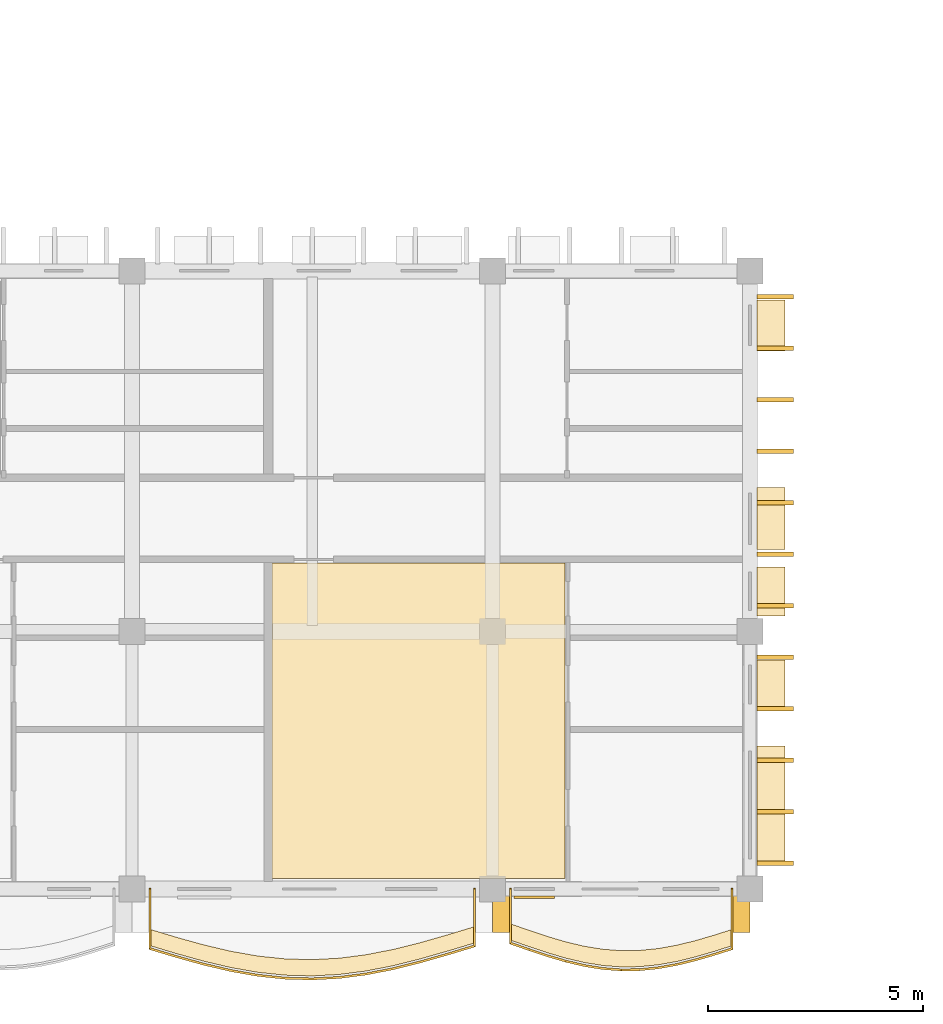
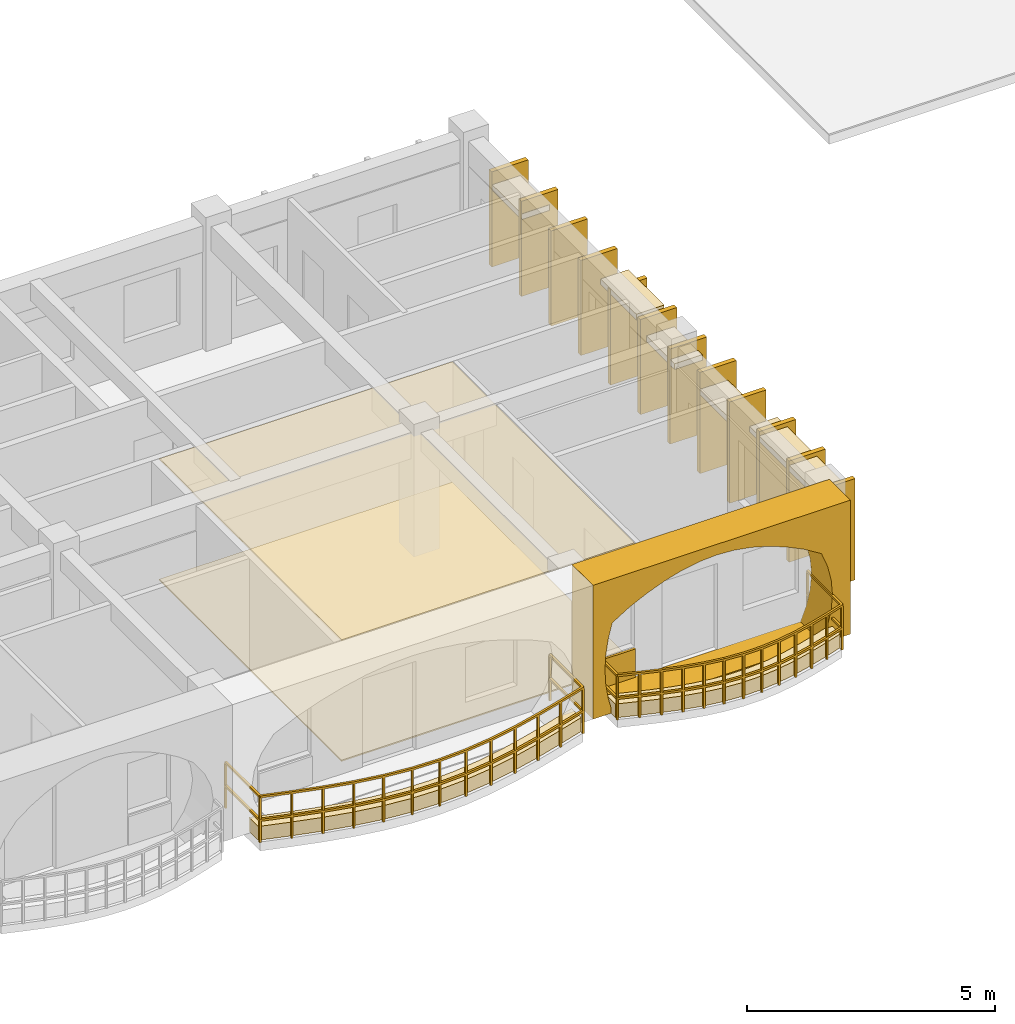
# One storey, part 72 of 101: 23 coverings, 2 railings.
"""IFC4 building model written with IfcOpenShell, lengths in metres."""

from ifc_helpers import new_model, si_unit, direction, frame, origin, origin_2d, place, context, subcontext, project, spatial, polyline, rectangle, outline, extrude, material, layer, layer_set, type_object, element, save


model = new_model("IFC4")

# Units and contexts
model_context = context("Model", 3, precision=1e-05, world=origin(), true_north=direction((0.0, 1.0)))
body_context = subcontext(model_context, "Body", "Model", "MODEL_VIEW")
ifc_project = project(units=[si_unit("LENGTHUNIT", "METRE"), si_unit("AREAUNIT", "SQUARE_METRE"), si_unit("VOLUMEUNIT", "CUBIC_METRE"), si_unit("PLANEANGLEUNIT", "RADIAN"), si_unit("MASSUNIT", "GRAM", prefix="KILO"), si_unit("THERMODYNAMICTEMPERATUREUNIT", "KELVIN")], contexts=[model_context])

# Site, building, storey
site_placement = place(None, origin())
site = spatial("IfcSite", under=ifc_project, at=site_placement, CompositionType="ELEMENT")
building_placement = place(site_placement, origin())
building = spatial("IfcBuilding", under=site, at=building_placement, Name="Thalorik Housing Commons", CompositionType="ELEMENT")
storey_placement = place(building_placement, frame((0.0, 0.0, 8.10009765625)))
storey = spatial("IfcBuildingStorey", under=building, at=storey_placement, Name="L02", CompositionType="ELEMENT", Elevation=8.10009765625)

# Coverings
ifc_material_1 = material(Name="Precast concrete C40/50", Category="concrete")
ifc_layer_1 = layer(ifc_material_1, 0.85009765625, Name="Precast concrete C40/50", Category="concrete")
ifc_layer_set_1 = layer_set([ifc_layer_1], Name="Precast concrete C40/50")
covering_type_1 = type_object("IfcCoveringType", Name="ARC-CLD-CUSH-850", PredefinedType="CLADDING", material=ifc_layer_set_1)
covering_1_placement = place(storey_placement, frame((54.60009765625, 7.81494140625, 0.0), z_axis=(0.0, 0.0, 1.0), x_axis=(1.0, 0.0, 0.0)))
element("IfcCovering", 1, at=covering_1_placement, inside=storey, type_object=covering_type_1, Name="L02 White Precast Curved Cushion Bay Frame 3611", PredefinedType="CLADDING", context=body_context, shape_type="SweptSolid", body=[
    extrude(outline(polyline([(-3.0, 0.0), (3.0, 0.0), (3.0, 3.300048828125), (-3.0, 3.300048828125), (-3.0, 0.0)]), holes=[polyline([(2.324951171875, 0.02490234375), (2.467529296875, 0.390869140625), (2.552978515625, 0.756591796875), (2.58154296875, 1.12255859375), (2.552978515625, 1.48828125), (2.467529296875, 1.854248046875), (2.324951171875, 2.219970703125), (1.918701171875, 2.469482421875), (1.512451171875, 2.66552734375), (1.106201171875, 2.824462890625), (0.699951171875, 2.9423828125), (0.293701171875, 3.015380859375), (-0.112548828125, 3.0400390625), (-0.518798828125, 3.015380859375), (-0.925048828125, 2.9423828125), (-1.331298828125, 2.824462890625), (-1.737548828125, 2.66552734375), (-2.143798828125, 2.469482421875), (-2.550048828125, 2.219970703125), (-2.64501953125, 1.854248046875), (-2.701904296875, 1.48828125), (-2.720947265625, 1.12255859375), (-2.701904296875, 0.756591796875), (-2.64501953125, 0.390869140625), (-2.550048828125, 0.02490234375), (2.324951171875, 0.02490234375)])]), frame((0.0, 0.425048828125, 0.0), z_axis=(0.0, -1.0, 0.0), x_axis=(1.0, 0.0, 0.0)), (0.0, 0.0, 1.0), 0.85009765625),
])
ifc_layer_2 = layer(ifc_material_1, 0.85009765625, Name="Precast concrete C40/50", Category="concrete")
ifc_layer_set_2 = layer_set([ifc_layer_2], Name="Precast concrete C40/50")
covering_type_2 = type_object("IfcCoveringType", Name="ARC-CLD-FIN-850", PredefinedType="CLADDING", material=ifc_layer_set_2)
for number, where, z_axis, x_axis, name in (
    (2, (58.18505859375, 9.0, 0.039794921875), (0.0, 0.0, 1.0), (0.0, 1.0, 0.0), "L02 Courtyard Precast Vertical Brise-Soleil Fin 3613"),
    (3, (58.18505859375, 10.199951171875, 0.039794921875), (0.0, 0.0, 1.0), (0.0, 1.0, 0.0), "L02 Courtyard Precast Vertical Brise-Soleil Fin 3614"),
    (4, (58.18505859375, 11.39990234375, 0.039794921875), (0.0, 0.0, 1.0), (0.0, 1.0, 0.0), "L02 Courtyard Precast Vertical Brise-Soleil Fin 3615"),
    (5, (58.18505859375, 12.60009765625, 0.039794921875), (0.0, 0.0, 1.0), (0.0, 1.0, 0.0), "L02 Courtyard Precast Vertical Brise-Soleil Fin 3616"),
    (6, (58.18505859375, 13.800048828125, 0.039794921875), (0.0, 0.0, 1.0), (0.0, 1.0, 0.0), "L02 Courtyard Precast Vertical Brise-Soleil Fin 3617"),
):
    element("IfcCovering", number, at=place(storey_placement, frame(where, z_axis=z_axis, x_axis=x_axis)), inside=storey, type_object=covering_type_2, Name=name, PredefinedType="CLADDING", context=body_context, shape_type="SweptSolid", body=[
        extrude(rectangle(XDim=0.110107421875, YDim=0.85009765625, at=origin_2d()), origin(), (0.0, 0.0, 1.0), 2.4951171875),
    ])
for number, where, z_axis, x_axis, name in (
    (7, (58.18505859375, 15.0, 0.0400390625), (0.0, 0.0, 1.0), (0.0, 1.0, 0.0), "L02 Courtyard Precast Vertical Brise-Soleil Fin 3620"),
    (8, (58.18505859375, 16.199951171875, 0.0400390625), (0.0, 0.0, 1.0), (0.0, 1.0, 0.0), "L02 Courtyard Precast Vertical Brise-Soleil Fin 3621"),
    (9, (58.18505859375, 17.39990234375, 0.0400390625), (0.0, 0.0, 1.0), (0.0, 1.0, 0.0), "L02 Courtyard Precast Vertical Brise-Soleil Fin 3622"),
    (10, (58.18505859375, 18.60009765625, 0.0400390625), (0.0, 0.0, 1.0), (0.0, 1.0, 0.0), "L02 Courtyard Precast Vertical Brise-Soleil Fin 3623"),
    (11, (58.18505859375, 19.800048828125, 0.0400390625), (0.0, 0.0, 1.0), (0.0, 1.0, 0.0), "L02 Courtyard Precast Vertical Brise-Soleil Fin 3624"),
    (12, (58.18505859375, 21.0, 0.0400390625), (0.0, 0.0, 1.0), (0.0, 1.0, 0.0), "L02 Courtyard Precast Vertical Brise-Soleil Fin 3625"),
    (13, (58.18505859375, 22.199951171875, 0.0400390625), (0.0, 0.0, 1.0), (0.0, 1.0, 0.0), "L02 Courtyard Precast Vertical Brise-Soleil Fin 3626"),
):
    element("IfcCovering", number, at=place(storey_placement, frame(where, z_axis=z_axis, x_axis=x_axis)), inside=storey, type_object=covering_type_2, Name=name, PredefinedType="CLADDING", context=body_context, shape_type="SweptSolid", body=[
        extrude(rectangle(XDim=0.110107421875, YDim=0.85009765625, at=origin_2d()), origin(), (0.0, 0.0, 1.0), 2.344970703125),
    ])
ifc_layer_3 = layer(ifc_material_1, 0.64990234375, Name="Precast concrete C40/50", Category="concrete")
ifc_layer_set_3 = layer_set([ifc_layer_3], Name="Precast concrete C40/50")
covering_type_3 = type_object("IfcCoveringType", Name="ARC-CLD-HOOD-650", PredefinedType="CLADDING", material=ifc_layer_set_3)
covering_2_placement = place(storey_placement, frame((58.0849609375, 10.353759765625, 2.2900390625), z_axis=(0.0, 0.0, 1.0), x_axis=(0.0, 1.0, 0.0)))
element("IfcCovering", 14, at=covering_2_placement, inside=storey, type_object=covering_type_3, Name="L02 Courtyard Precast Window Sun-Hood 3618", PredefinedType="CLADDING", context=body_context, shape_type="SweptSolid", body=[
    extrude(rectangle(XDim=2.760009765625, YDim=0.64990234375, at=origin_2d()), origin(), (0.0, 0.0, 1.0), 0.139892578125),
])
for number, where, z_axis, x_axis, name in (
    (15, (58.0849609375, 13.163818359375, 1.98974609375), (0.0, 0.0, 1.0), (0.0, 1.0, 0.0), "L02 Courtyard Precast Window Sun-Hood 3619"),
    (16, (58.0849609375, 15.3349609375, 1.98974609375), (0.0, 0.0, 1.0), (0.0, 1.0, 0.0), "L02 Courtyard Precast Window Sun-Hood 3627"),
):
    element("IfcCovering", number, at=place(storey_placement, frame(where, z_axis=z_axis, x_axis=x_axis)), inside=storey, type_object=covering_type_3, Name=name, PredefinedType="CLADDING", context=body_context, shape_type="SweptSolid", body=[
        extrude(rectangle(XDim=1.139892578125, YDim=0.64990234375, at=origin_2d()), origin(), (0.0, 0.0, 1.0), 0.139892578125),
    ])
covering_3_placement = place(storey_placement, frame((58.0849609375, 17.030029296875, 2.27490234375), z_axis=(0.0, 0.0, 1.0), x_axis=(0.0, 1.0, 0.0)))
element("IfcCovering", 17, at=covering_3_placement, inside=storey, type_object=covering_type_3, Name="L02 Courtyard Precast Window Sun-Hood 3628", PredefinedType="CLADDING", context=body_context, shape_type="SweptSolid", body=[
    extrude(rectangle(XDim=1.43994140625, YDim=0.64990234375, at=origin_2d()), origin(), (0.0, 0.0, 1.0), 0.139892578125),
])
covering_4_placement = place(storey_placement, frame((58.0849609375, 21.53271484375, 1.93994140625), z_axis=(0.0, 0.0, 1.0), x_axis=(0.0, 1.0, 0.0)))
element("IfcCovering", 18, at=covering_4_placement, inside=storey, type_object=covering_type_3, Name="L02 Courtyard Precast Window Sun-Hood 3629", PredefinedType="CLADDING", context=body_context, shape_type="SweptSolid", body=[
    extrude(rectangle(XDim=1.18994140625, YDim=0.64990234375, at=origin_2d()), origin(), (0.0, 0.0, 1.0), 0.139892578125),
])
ifc_material_2 = material(Name="Terracotta red mineral fibre-cement panel", Category="masonry")
ifc_layer_4 = layer(ifc_material_2, 0.054931640625, Name="Terracotta red mineral fibre-cement panel", Category="masonry")
ifc_layer_set_4 = layer_set([ifc_layer_4], Name="Terracotta red mineral fibre-cement panel")
covering_type_4 = type_object("IfcCoveringType", Name="ARC-CLD-RED-55", PredefinedType="CLADDING", material=ifc_layer_set_4)
covering_5_placement = place(storey_placement, frame((52.574951171875, 8.20751953125, 0.0498046875), z_axis=(0.0, 0.0, 1.0), x_axis=(1.0, 0.0, 0.0)))
element("IfcCovering", 19, at=covering_5_placement, inside=storey, type_object=covering_type_4, Name="L02 De Stijl Recessed Window Spandrel 3612", PredefinedType="CLADDING", context=body_context, shape_type="SweptSolid", body=[
    extrude(rectangle(XDim=0.949951171875, YDim=0.054931640625, at=origin_2d()), origin(), (0.0, 0.0, 1.0), 0.699951171875),
])
ifc_material_3 = material(Name="Acoustic wood-wool nursery ceiling panel", Category="wood")
ifc_layer_5 = layer(ifc_material_3, 0.035888671875, Name="Acoustic wood-wool nursery ceiling panel", Category="wood")
ifc_layer_set_5 = layer_set([ifc_layer_5], Name="Acoustic wood-wool nursery ceiling panel")
covering_type_5 = type_object("IfcCoveringType", Name="ARC-COV-CEIL-06", PredefinedType="CEILING", material=ifc_layer_set_5)
covering_6_placement = place(storey_placement, frame((0.0, 0.0, 2.9638671875)))
element("IfcCovering", 20, at=covering_6_placement, inside=storey, type_object=covering_type_5, Name="L02 Family Lounge Suspended Ceiling", PredefinedType="CEILING", context=body_context, shape_type="SweptSolid", body=[
    extrude(outline(polyline([(53.2900390625, 8.639892578125), (53.2900390625, 16.0), (46.4599609375, 16.0), (46.4599609375, 8.639892578125), (53.2900390625, 8.639892578125)])), origin(), (0.0, 0.0, 1.0), 0.0361328125),
])
ifc_material_4 = material(Name="Epoxy-sealed concrete plant and bicycle hub finish", Category="concrete")
ifc_layer_6 = layer(ifc_material_4, 0.031982421875, Name="Epoxy-sealed concrete plant and bicycle hub finish", Category="concrete")
ifc_layer_set_6 = layer_set([ifc_layer_6], Name="Epoxy-sealed concrete plant and bicycle hub finish")
covering_type_6 = type_object("IfcCoveringType", Name="ARC-COV-FLR-06", PredefinedType="FLOORING", material=ifc_layer_set_6)
covering_7_placement = place(storey_placement, origin())
element("IfcCovering", 21, at=covering_7_placement, inside=storey, type_object=covering_type_6, Name="L02 Family Lounge Flooring", PredefinedType="FLOORING", context=body_context, shape_type="SweptSolid", body=[
    extrude(outline(polyline([(53.2900390625, 8.639892578125), (53.2900390625, 16.0), (46.4599609375, 16.0), (46.4599609375, 8.639892578125), (53.2900390625, 8.639892578125)])), origin(), (0.0, 0.0, 1.0), 0.031982421875),
])
ifc_material_5 = material(Name="Planted vegetated substrate and terracotta trough", Category="masonry")
ifc_layer_7 = layer(ifc_material_5, 0.340087890625, Name="Planted vegetated substrate and terracotta trough", Category="masonry")
ifc_layer_set_7 = layer_set([ifc_layer_7], Name="Planted vegetated substrate and terracotta trough")
covering_type_7 = type_object("IfcCoveringType", Name="ARC-COV-PLANTER", PredefinedType="USERDEFINED", material=ifc_layer_set_7)
covering_8_placement = place(storey_placement, origin())
element("IfcCovering", 22, at=covering_8_placement, inside=storey, type_object=covering_type_7, Name="L02 Balcony Slab-Edge Planted Trough 5575", ObjectType="PLANTER", PredefinedType="USERDEFINED", context=body_context, shape_type="SweptSolid", body=[
    extrude(outline(polyline([(43.6201171875, 7.079345703125), (44.25, 6.889892578125), (44.8798828125, 6.71533203125), (45.510009765625, 6.567626953125), (46.139892578125, 6.456787109375), (46.77001953125, 6.390869140625), (47.39990234375, 6.3740234375), (48.030029296875, 6.40771484375), (48.659912109375, 6.489013671875), (49.2900390625, 6.61279296875), (49.919921875, 6.770263671875), (50.550048828125, 6.950439453125), (51.179931640625, 7.140625), (51.179931640625, 7.520751953125), (50.550048828125, 7.330322265625), (49.919921875, 7.150390625), (49.2900390625, 6.992919921875), (48.659912109375, 6.869140625), (48.030029296875, 6.78759765625), (47.39990234375, 6.754150390625), (46.77001953125, 6.77099609375), (46.139892578125, 6.8369140625), (45.510009765625, 6.947509765625), (44.8798828125, 7.095458984375), (44.25, 7.27001953125), (43.6201171875, 7.459228515625), (43.6201171875, 7.079345703125)])), origin(), (0.0, 0.0, 1.0), 0.33984375),
])
covering_9_placement = place(storey_placement, origin())
element("IfcCovering", 23, at=covering_9_placement, inside=storey, type_object=covering_type_7, Name="L02 Balcony Slab-Edge Planted Trough 5576", ObjectType="PLANTER", PredefinedType="USERDEFINED", context=body_context, shape_type="SweptSolid", body=[
    extrude(outline(polyline([(52.02001953125, 7.20703125), (52.449951171875, 7.056884765625), (52.8798828125, 6.91357421875), (53.31005859375, 6.786865234375), (53.739990234375, 6.685302734375), (54.169921875, 6.6162109375), (54.60009765625, 6.58349609375), (55.030029296875, 6.589111328125), (55.4599609375, 6.63232421875), (55.889892578125, 6.70947265625), (56.320068359375, 6.814697265625), (56.75, 6.93994140625), (57.179931640625, 7.076416015625), (57.179931640625, 7.456298828125), (56.75, 7.320068359375), (56.320068359375, 7.194580078125), (55.889892578125, 7.08935546875), (55.4599609375, 7.01220703125), (55.030029296875, 6.968994140625), (54.60009765625, 6.96337890625), (54.169921875, 6.99609375), (53.739990234375, 7.0654296875), (53.31005859375, 7.166748046875), (52.8798828125, 7.29345703125), (52.449951171875, 7.436767578125), (52.02001953125, 7.5869140625), (52.02001953125, 7.20703125)])), origin(), (0.0, 0.0, 1.0), 0.33984375),
])

# Railings
ifc_material_6 = material(Name="Steel S355", Category="steel")
railing_type_1 = type_object("IfcRailingType", Name="ARC-RL-BAL-112", PredefinedType="BALUSTRADE", material=ifc_material_6)
railing_1_placement = place(storey_placement, frame((52.02001953125, 8.39990234375, 0.0)))
element("IfcRailing", 24, at=railing_1_placement, inside=storey, type_object=railing_type_1, Name="L02 Cushion Balcony Guardrail 260", PredefinedType="BALUSTRADE", context=body_context, shape_type="SweptSolid", body=[
    extrude(rectangle(XDim=0.050048828125, YDim=0.050048828125, at=origin_2d()), frame((0.0, 0.0, 1.09521484375), z_axis=(0.0, -1.0, 0.0), x_axis=(1.0, 0.0, 0.0)), (0.0, 0.0, 1.0), 1.262939453125),
    extrude(rectangle(XDim=0.050048828125, YDim=0.050048828125, at=origin_2d()), frame((0.0, 0.0, 0.53515625), z_axis=(0.0, -1.0, 0.0), x_axis=(1.0, 0.0, 0.0)), (0.0, 0.0, 1.0), 1.262939453125),
    extrude(rectangle(XDim=0.050048828125, YDim=0.050048828125, at=origin_2d()), frame((0.0, -1.262939453125, 1.09521484375), z_axis=(0.944083802416, -0.329705586874, 0.0), x_axis=(0.329705586874, 0.944083802416, 0.0)), (0.0, 0.0, 1.0), 0.455322265625),
    extrude(rectangle(XDim=0.050048828125, YDim=0.050048828125, at=origin_2d()), frame((0.0, -1.262939453125, 0.53515625), z_axis=(0.944083802416, -0.329705586874, 0.0), x_axis=(0.329705586874, 0.944083802416, 0.0)), (0.0, 0.0, 1.0), 0.455322265625),
    extrude(rectangle(XDim=0.050048828125, YDim=0.050048828125, at=origin_2d()), frame((0.429931640625, -1.4130859375, 1.09521484375), z_axis=(0.948683298051, -0.316227766017, 0.0), x_axis=(0.316227766017, 0.948683298051, 0.0)), (0.0, 0.0, 1.0), 0.453125),
    extrude(rectangle(XDim=0.050048828125, YDim=0.050048828125, at=origin_2d()), frame((0.429931640625, -1.4130859375, 0.53515625), z_axis=(0.948683298051, -0.316227766017, 0.0), x_axis=(0.316227766017, 0.948683298051, 0.0)), (0.0, 0.0, 1.0), 0.453125),
    extrude(rectangle(XDim=0.050048828125, YDim=0.050048828125, at=origin_2d()), frame((0.85986328125, -1.556396484375, 1.09521484375), z_axis=(0.959252728444, -0.282549469956, 0.0), x_axis=(0.282549469956, 0.959252728444, 0.0)), (0.0, 0.0, 1.0), 0.448486328125),
    extrude(rectangle(XDim=0.050048828125, YDim=0.050048828125, at=origin_2d()), frame((0.85986328125, -1.556396484375, 0.53515625), z_axis=(0.959252728444, -0.282549469956, 0.0), x_axis=(0.282549469956, 0.959252728444, 0.0)), (0.0, 0.0, 1.0), 0.448486328125),
    extrude(rectangle(XDim=0.050048828125, YDim=0.050048828125, at=origin_2d()), frame((1.2900390625, -1.68310546875, 1.09521484375), z_axis=(0.973337372899, -0.229378199746, 0.0), x_axis=(0.229378199746, 0.973337372899, 0.0)), (0.0, 0.0, 1.0), 0.441650390625),
    extrude(rectangle(XDim=0.050048828125, YDim=0.050048828125, at=origin_2d()), frame((1.2900390625, -1.68310546875, 0.53515625), z_axis=(0.973337372899, -0.229378199746, 0.0), x_axis=(0.229378199746, 0.973337372899, 0.0)), (0.0, 0.0, 1.0), 0.441650390625),
    extrude(rectangle(XDim=0.050048828125, YDim=0.050048828125, at=origin_2d()), frame((1.719970703125, -1.784423828125, 1.09521484375), z_axis=(0.987243963433, -0.159214812956, 0.0), x_axis=(0.159214812956, 0.987243963433, 0.0)), (0.0, 0.0, 1.0), 0.435546875),
    extrude(rectangle(XDim=0.050048828125, YDim=0.050048828125, at=origin_2d()), frame((1.719970703125, -1.784423828125, 0.53515625), z_axis=(0.987243963433, -0.159214812956, 0.0), x_axis=(0.159214812956, 0.987243963433, 0.0)), (0.0, 0.0, 1.0), 0.435546875),
    extrude(rectangle(XDim=0.050048828125, YDim=0.050048828125, at=origin_2d()), frame((2.14990234375, -1.853759765625, 1.09521484375), z_axis=(0.997120686648, -0.075830971629, 0.0), x_axis=(0.075830971629, 0.997120686648, 0.0)), (0.0, 0.0, 1.0), 0.431396484375),
    extrude(rectangle(XDim=0.050048828125, YDim=0.050048828125, at=origin_2d()), frame((2.14990234375, -1.853759765625, 0.53515625), z_axis=(0.997120686648, -0.075830971629, 0.0), x_axis=(0.075830971629, 0.997120686648, 0.0)), (0.0, 0.0, 1.0), 0.431396484375),
    extrude(rectangle(XDim=0.050048828125, YDim=0.050048828125, at=origin_2d()), frame((2.580078125, -1.886474609375, 1.09521484375), z_axis=(0.999914719172, 0.013059647099, 0.0), x_axis=(-0.013059647099, 0.999914719172, 0.0)), (0.0, 0.0, 1.0), 0.429931640625),
    extrude(rectangle(XDim=0.050048828125, YDim=0.050048828125, at=origin_2d()), frame((2.580078125, -1.886474609375, 0.53515625), z_axis=(0.999914719172, 0.013059647099, 0.0), x_axis=(-0.013059647099, 0.999914719172, 0.0)), (0.0, 0.0, 1.0), 0.429931640625),
    extrude(rectangle(XDim=0.050048828125, YDim=0.050048828125, at=origin_2d()), frame((3.010009765625, -1.880859375, 1.09521484375), z_axis=(0.9949867152, 0.100007182618, 0.0), x_axis=(-0.100007182618, 0.9949867152, 0.0)), (0.0, 0.0, 1.0), 0.43212890625),
    extrude(rectangle(XDim=0.050048828125, YDim=0.050048828125, at=origin_2d()), frame((3.010009765625, -1.880859375, 0.53515625), z_axis=(0.9949867152, 0.100007182618, 0.0), x_axis=(-0.100007182618, 0.9949867152, 0.0)), (0.0, 0.0, 1.0), 0.43212890625),
    extrude(rectangle(XDim=0.050048828125, YDim=0.050048828125, at=origin_2d()), frame((3.43994140625, -1.837646484375, 1.09521484375), z_axis=(0.984278682269, 0.176622409765, 0.0), x_axis=(-0.176622409765, 0.984278682269, 0.0)), (0.0, 0.0, 1.0), 0.436767578125),
    extrude(rectangle(XDim=0.050048828125, YDim=0.050048828125, at=origin_2d()), frame((3.43994140625, -1.837646484375, 0.53515625), z_axis=(0.984278682269, 0.176622409765, 0.0), x_axis=(-0.176622409765, 0.984278682269, 0.0)), (0.0, 0.0, 1.0), 0.436767578125),
    extrude(rectangle(XDim=0.050048828125, YDim=0.050048828125, at=origin_2d()), frame((3.869873046875, -1.760498046875, 1.09521484375), z_axis=(0.971362259737, 0.237603367734, 0.0), x_axis=(-0.237603367734, 0.971362259737, 0.0)), (0.0, 0.0, 1.0), 0.44287109375),
    extrude(rectangle(XDim=0.050048828125, YDim=0.050048828125, at=origin_2d()), frame((3.869873046875, -1.760498046875, 0.53515625), z_axis=(0.971362259737, 0.237603367734, 0.0), x_axis=(-0.237603367734, 0.971362259737, 0.0)), (0.0, 0.0, 1.0), 0.44287109375),
    extrude(rectangle(XDim=0.050048828125, YDim=0.050048828125, at=origin_2d()), frame((4.300048828125, -1.6552734375, 1.09521484375), z_axis=(0.959945034065, 0.280188385866, 0.0), x_axis=(-0.280188385866, 0.959945034065, 0.0)), (0.0, 0.0, 1.0), 0.44775390625),
    extrude(rectangle(XDim=0.050048828125, YDim=0.050048828125, at=origin_2d()), frame((4.300048828125, -1.6552734375, 0.53515625), z_axis=(0.959945034065, 0.280188385866, 0.0), x_axis=(-0.280188385866, 0.959945034065, 0.0)), (0.0, 0.0, 1.0), 0.44775390625),
    extrude(rectangle(XDim=0.050048828125, YDim=0.050048828125, at=origin_2d()), frame((4.72998046875, -1.52978515625, 1.09521484375), z_axis=(0.953287680153, 0.302063898652, 0.0), x_axis=(-0.302063898652, 0.953287680153, 0.0)), (0.0, 0.0, 1.0), 0.450927734375),
    extrude(rectangle(XDim=0.050048828125, YDim=0.050048828125, at=origin_2d()), frame((4.72998046875, -1.52978515625, 0.53515625), z_axis=(0.953287680153, 0.302063898652, 0.0), x_axis=(-0.302063898652, 0.953287680153, 0.0)), (0.0, 0.0, 1.0), 0.450927734375),
    extrude(rectangle(XDim=0.050048828125, YDim=0.050048828125, at=origin_2d()), frame((5.159912109375, -1.3935546875, 1.09521484375), z_axis=(0.0, 1.0, 0.0), x_axis=(-1.0, 0.0, 0.0)), (0.0, 0.0, 1.0), 1.3935546875),
    extrude(rectangle(XDim=0.050048828125, YDim=0.050048828125, at=origin_2d()), frame((5.159912109375, -1.3935546875, 0.53515625), z_axis=(0.0, 1.0, 0.0), x_axis=(-1.0, 0.0, 0.0)), (0.0, 0.0, 1.0), 1.3935546875),
    extrude(rectangle(XDim=0.0419921875, YDim=0.0419921875, at=origin_2d()), origin(), (0.0, 0.0, 1.0), 1.070068359375),
    extrude(rectangle(XDim=0.0419921875, YDim=0.0419921875, at=origin_2d()), frame((0.0, -1.262939453125, 0.0)), (0.0, 0.0, 1.0), 1.070068359375),
    extrude(rectangle(XDim=0.0419921875, YDim=0.0419921875, at=origin_2d()), frame((0.429931640625, -1.4130859375, 0.0)), (0.0, 0.0, 1.0), 1.070068359375),
    extrude(rectangle(XDim=0.0419921875, YDim=0.0419921875, at=origin_2d()), frame((0.85986328125, -1.556396484375, 0.0)), (0.0, 0.0, 1.0), 1.070068359375),
    extrude(rectangle(XDim=0.0419921875, YDim=0.0419921875, at=origin_2d()), frame((1.2900390625, -1.68310546875, 0.0)), (0.0, 0.0, 1.0), 1.070068359375),
    extrude(rectangle(XDim=0.0419921875, YDim=0.0419921875, at=origin_2d()), frame((1.719970703125, -1.784423828125, 0.0)), (0.0, 0.0, 1.0), 1.070068359375),
    extrude(rectangle(XDim=0.0419921875, YDim=0.0419921875, at=origin_2d()), frame((2.14990234375, -1.853759765625, 0.0)), (0.0, 0.0, 1.0), 1.070068359375),
    extrude(rectangle(XDim=0.0419921875, YDim=0.0419921875, at=origin_2d()), frame((2.580078125, -1.886474609375, 0.0)), (0.0, 0.0, 1.0), 1.070068359375),
    extrude(rectangle(XDim=0.0419921875, YDim=0.0419921875, at=origin_2d()), frame((3.010009765625, -1.880859375, 0.0)), (0.0, 0.0, 1.0), 1.070068359375),
    extrude(rectangle(XDim=0.0419921875, YDim=0.0419921875, at=origin_2d()), frame((3.43994140625, -1.837646484375, 0.0)), (0.0, 0.0, 1.0), 1.070068359375),
    extrude(rectangle(XDim=0.0419921875, YDim=0.0419921875, at=origin_2d()), frame((3.869873046875, -1.760498046875, 0.0)), (0.0, 0.0, 1.0), 1.070068359375),
    extrude(rectangle(XDim=0.0419921875, YDim=0.0419921875, at=origin_2d()), frame((4.300048828125, -1.6552734375, 0.0)), (0.0, 0.0, 1.0), 1.070068359375),
    extrude(rectangle(XDim=0.0419921875, YDim=0.0419921875, at=origin_2d()), frame((4.72998046875, -1.52978515625, 0.0)), (0.0, 0.0, 1.0), 1.070068359375),
    extrude(rectangle(XDim=0.0419921875, YDim=0.0419921875, at=origin_2d()), frame((5.159912109375, -1.3935546875, 0.0)), (0.0, 0.0, 1.0), 1.070068359375),
    extrude(rectangle(XDim=0.0419921875, YDim=0.0419921875, at=origin_2d()), frame((5.159912109375, 0.0, 0.0)), (0.0, 0.0, 1.0), 1.070068359375),
])
railing_type_2 = type_object("IfcRailingType", Name="ARC-RL-BAL-115", PredefinedType="BALUSTRADE", material=ifc_material_6)
railing_2_placement = place(storey_placement, frame((43.6201171875, 8.39990234375, 0.0)))
element("IfcRailing", 25, at=railing_2_placement, inside=storey, type_object=railing_type_2, Name="L02 Cushion Balcony Guardrail 259", PredefinedType="BALUSTRADE", context=body_context, shape_type="SweptSolid", body=[
    extrude(rectangle(XDim=0.050048828125, YDim=0.050048828125, at=origin_2d()), frame((0.0, 0.0, 1.125), z_axis=(0.0, -1.0, 0.0), x_axis=(1.0, 0.0, 0.0)), (0.0, 0.0, 1.0), 1.390625),
    extrude(rectangle(XDim=0.050048828125, YDim=0.050048828125, at=origin_2d()), frame((0.0, 0.0, 0.5498046875), z_axis=(0.0, -1.0, 0.0), x_axis=(1.0, 0.0, 0.0)), (0.0, 0.0, 1.0), 1.390625),
    extrude(rectangle(XDim=0.050048828125, YDim=0.050048828125, at=origin_2d()), frame((0.0, -1.390625, 1.125), z_axis=(0.957724056546, -0.287688427839, 0.0), x_axis=(0.287688427839, 0.957724056546, 0.0)), (0.0, 0.0, 1.0), 0.65771484375),
    extrude(rectangle(XDim=0.050048828125, YDim=0.050048828125, at=origin_2d()), frame((0.0, -1.390625, 0.5498046875), z_axis=(0.957724056546, -0.287688427839, 0.0), x_axis=(0.287688427839, 0.957724056546, 0.0)), (0.0, 0.0, 1.0), 0.65771484375),
    extrude(rectangle(XDim=0.050048828125, YDim=0.050048828125, at=origin_2d()), frame((0.6298828125, -1.579833984375, 1.125), z_axis=(0.963678274429, -0.267065878379, 0.0), x_axis=(0.267065878379, 0.963678274429, 0.0)), (0.0, 0.0, 1.0), 0.653564453125),
    extrude(rectangle(XDim=0.050048828125, YDim=0.050048828125, at=origin_2d()), frame((0.6298828125, -1.579833984375, 0.5498046875), z_axis=(0.963678274429, -0.267065878379, 0.0), x_axis=(0.267065878379, 0.963678274429, 0.0)), (0.0, 0.0, 1.0), 0.653564453125),
    extrude(rectangle(XDim=0.050048828125, YDim=0.050048828125, at=origin_2d()), frame((1.259765625, -1.75439453125, 1.125), z_axis=(0.973525886872, -0.228576787076, 0.0), x_axis=(0.228576787076, 0.973525886872, 0.0)), (0.0, 0.0, 1.0), 0.647216796875),
    extrude(rectangle(XDim=0.050048828125, YDim=0.050048828125, at=origin_2d()), frame((1.259765625, -1.75439453125, 0.5498046875), z_axis=(0.973525886872, -0.228576787076, 0.0), x_axis=(0.228576787076, 0.973525886872, 0.0)), (0.0, 0.0, 1.0), 0.647216796875),
    extrude(rectangle(XDim=0.050048828125, YDim=0.050048828125, at=origin_2d()), frame((1.889892578125, -1.90234375, 1.125), z_axis=(0.984933077013, -0.172935923987, 0.0), x_axis=(0.172935923987, 0.984933077013, 0.0)), (0.0, 0.0, 1.0), 0.639404296875),
    extrude(rectangle(XDim=0.050048828125, YDim=0.050048828125, at=origin_2d()), frame((1.889892578125, -1.90234375, 0.5498046875), z_axis=(0.984933077013, -0.172935923987, 0.0), x_axis=(0.172935923987, 0.984933077013, 0.0)), (0.0, 0.0, 1.0), 0.639404296875),
    extrude(rectangle(XDim=0.050048828125, YDim=0.050048828125, at=origin_2d()), frame((2.519775390625, -2.012939453125, 1.125), z_axis=(0.994532866794, -0.104424024371, 0.0), x_axis=(0.104424024371, 0.994532866794, 0.0)), (0.0, 0.0, 1.0), 0.633544921875),
    extrude(rectangle(XDim=0.050048828125, YDim=0.050048828125, at=origin_2d()), frame((2.519775390625, -2.012939453125, 0.5498046875), z_axis=(0.994532866794, -0.104424024371, 0.0), x_axis=(0.104424024371, 0.994532866794, 0.0)), (0.0, 0.0, 1.0), 0.633544921875),
    extrude(rectangle(XDim=0.050048828125, YDim=0.050048828125, at=origin_2d()), frame((3.14990234375, -2.0791015625, 1.125), z_axis=(0.999652845962, -0.026347439351, 0.0), x_axis=(0.026347439351, 0.999652845962, 0.0)), (0.0, 0.0, 1.0), 0.630126953125),
    extrude(rectangle(XDim=0.050048828125, YDim=0.050048828125, at=origin_2d()), frame((3.14990234375, -2.0791015625, 0.5498046875), z_axis=(0.999652845962, -0.026347439351, 0.0), x_axis=(0.026347439351, 0.999652845962, 0.0)), (0.0, 0.0, 1.0), 0.630126953125),
    extrude(rectangle(XDim=0.050048828125, YDim=0.050048828125, at=origin_2d()), frame((3.77978515625, -2.095703125, 1.125), z_axis=(0.998594216015, 0.053005582175, 0.0), x_axis=(-0.053005582175, 0.998594216015, 0.0)), (0.0, 0.0, 1.0), 0.631103515625),
    extrude(rectangle(XDim=0.050048828125, YDim=0.050048828125, at=origin_2d()), frame((3.77978515625, -2.095703125, 0.5498046875), z_axis=(0.998594216015, 0.053005582175, 0.0), x_axis=(-0.053005582175, 0.998594216015, 0.0)), (0.0, 0.0, 1.0), 0.631103515625),
    extrude(rectangle(XDim=0.050048828125, YDim=0.050048828125, at=origin_2d()), frame((4.409912109375, -2.062255859375, 1.125), z_axis=(0.991724272326, 0.128386010448, 0.0), x_axis=(-0.128386010448, 0.991724272326, 0.0)), (0.0, 0.0, 1.0), 0.63525390625),
    extrude(rectangle(XDim=0.050048828125, YDim=0.050048828125, at=origin_2d()), frame((4.409912109375, -2.062255859375, 0.5498046875), z_axis=(0.991724272326, 0.128386010448, 0.0), x_axis=(-0.128386010448, 0.991724272326, 0.0)), (0.0, 0.0, 1.0), 0.63525390625),
    extrude(rectangle(XDim=0.050048828125, YDim=0.050048828125, at=origin_2d()), frame((5.039794921875, -1.980712890625, 1.125), z_axis=(0.981319379897, 0.192385744373, 0.0), x_axis=(-0.192385744373, 0.981319379897, 0.0)), (0.0, 0.0, 1.0), 0.64208984375),
    extrude(rectangle(XDim=0.050048828125, YDim=0.050048828125, at=origin_2d()), frame((5.039794921875, -1.980712890625, 0.5498046875), z_axis=(0.981319379897, 0.192385744373, 0.0), x_axis=(-0.192385744373, 0.981319379897, 0.0)), (0.0, 0.0, 1.0), 0.64208984375),
    extrude(rectangle(XDim=0.050048828125, YDim=0.050048828125, at=origin_2d()), frame((5.669921875, -1.857177734375, 1.125), z_axis=(0.970142500145, 0.242535625036, 0.0), x_axis=(-0.242535625036, 0.970142500145, 0.0)), (0.0, 0.0, 1.0), 0.649169921875),
    extrude(rectangle(XDim=0.050048828125, YDim=0.050048828125, at=origin_2d()), frame((5.669921875, -1.857177734375, 0.5498046875), z_axis=(0.970142500145, 0.242535625036, 0.0), x_axis=(-0.242535625036, 0.970142500145, 0.0)), (0.0, 0.0, 1.0), 0.649169921875),
    extrude(rectangle(XDim=0.050048828125, YDim=0.050048828125, at=origin_2d()), frame((6.2998046875, -1.69970703125, 1.125), z_axis=(0.961467698442, 0.274917923847, 0.0), x_axis=(-0.274917923847, 0.961467698442, 0.0)), (0.0, 0.0, 1.0), 0.6552734375),
    extrude(rectangle(XDim=0.050048828125, YDim=0.050048828125, at=origin_2d()), frame((6.2998046875, -1.69970703125, 0.5498046875), z_axis=(0.961467698442, 0.274917923847, 0.0), x_axis=(-0.274917923847, 0.961467698442, 0.0)), (0.0, 0.0, 1.0), 0.6552734375),
    extrude(rectangle(XDim=0.050048828125, YDim=0.050048828125, at=origin_2d()), frame((6.929931640625, -1.51953125, 1.125), z_axis=(0.957211427299, 0.289389501276, 0.0), x_axis=(-0.289389501276, 0.957211427299, 0.0)), (0.0, 0.0, 1.0), 0.657958984375),
    extrude(rectangle(XDim=0.050048828125, YDim=0.050048828125, at=origin_2d()), frame((6.929931640625, -1.51953125, 0.5498046875), z_axis=(0.957211427299, 0.289389501276, 0.0), x_axis=(-0.289389501276, 0.957211427299, 0.0)), (0.0, 0.0, 1.0), 0.657958984375),
    extrude(rectangle(XDim=0.050048828125, YDim=0.050048828125, at=origin_2d()), frame((7.559814453125, -1.3291015625, 1.125), z_axis=(0.0, 1.0, 0.0), x_axis=(-1.0, 0.0, 0.0)), (0.0, 0.0, 1.0), 1.3291015625),
    extrude(rectangle(XDim=0.050048828125, YDim=0.050048828125, at=origin_2d()), frame((7.559814453125, -1.3291015625, 0.5498046875), z_axis=(0.0, 1.0, 0.0), x_axis=(-1.0, 0.0, 0.0)), (0.0, 0.0, 1.0), 1.3291015625),
    extrude(rectangle(XDim=0.0419921875, YDim=0.0419921875, at=origin_2d()), origin(), (0.0, 0.0, 1.0), 1.099853515625),
    extrude(rectangle(XDim=0.0419921875, YDim=0.0419921875, at=origin_2d()), frame((0.0, -1.390625, 0.0)), (0.0, 0.0, 1.0), 1.099853515625),
    extrude(rectangle(XDim=0.0419921875, YDim=0.0419921875, at=origin_2d()), frame((0.6298828125, -1.579833984375, 0.0)), (0.0, 0.0, 1.0), 1.099853515625),
    extrude(rectangle(XDim=0.0419921875, YDim=0.0419921875, at=origin_2d()), frame((1.259765625, -1.75439453125, 0.0)), (0.0, 0.0, 1.0), 1.099853515625),
    extrude(rectangle(XDim=0.0419921875, YDim=0.0419921875, at=origin_2d()), frame((1.889892578125, -1.90234375, 0.0)), (0.0, 0.0, 1.0), 1.099853515625),
    extrude(rectangle(XDim=0.0419921875, YDim=0.0419921875, at=origin_2d()), frame((2.519775390625, -2.012939453125, 0.0)), (0.0, 0.0, 1.0), 1.099853515625),
    extrude(rectangle(XDim=0.0419921875, YDim=0.0419921875, at=origin_2d()), frame((3.14990234375, -2.0791015625, 0.0)), (0.0, 0.0, 1.0), 1.099853515625),
    extrude(rectangle(XDim=0.0419921875, YDim=0.0419921875, at=origin_2d()), frame((3.77978515625, -2.095703125, 0.0)), (0.0, 0.0, 1.0), 1.099853515625),
    extrude(rectangle(XDim=0.0419921875, YDim=0.0419921875, at=origin_2d()), frame((4.409912109375, -2.062255859375, 0.0)), (0.0, 0.0, 1.0), 1.099853515625),
    extrude(rectangle(XDim=0.0419921875, YDim=0.0419921875, at=origin_2d()), frame((5.039794921875, -1.980712890625, 0.0)), (0.0, 0.0, 1.0), 1.099853515625),
    extrude(rectangle(XDim=0.0419921875, YDim=0.0419921875, at=origin_2d()), frame((5.669921875, -1.857177734375, 0.0)), (0.0, 0.0, 1.0), 1.099853515625),
    extrude(rectangle(XDim=0.0419921875, YDim=0.0419921875, at=origin_2d()), frame((6.2998046875, -1.69970703125, 0.0)), (0.0, 0.0, 1.0), 1.099853515625),
    extrude(rectangle(XDim=0.0419921875, YDim=0.0419921875, at=origin_2d()), frame((6.929931640625, -1.51953125, 0.0)), (0.0, 0.0, 1.0), 1.099853515625),
    extrude(rectangle(XDim=0.0419921875, YDim=0.0419921875, at=origin_2d()), frame((7.559814453125, -1.3291015625, 0.0)), (0.0, 0.0, 1.0), 1.099853515625),
    extrude(rectangle(XDim=0.0419921875, YDim=0.0419921875, at=origin_2d()), frame((7.559814453125, 0.0, 0.0)), (0.0, 0.0, 1.0), 1.099853515625),
])

save(model, "model.ifc")
